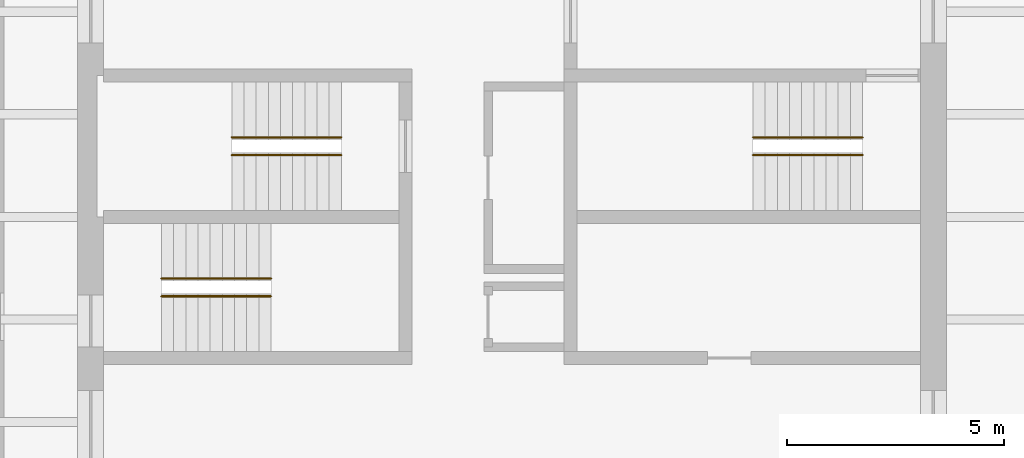
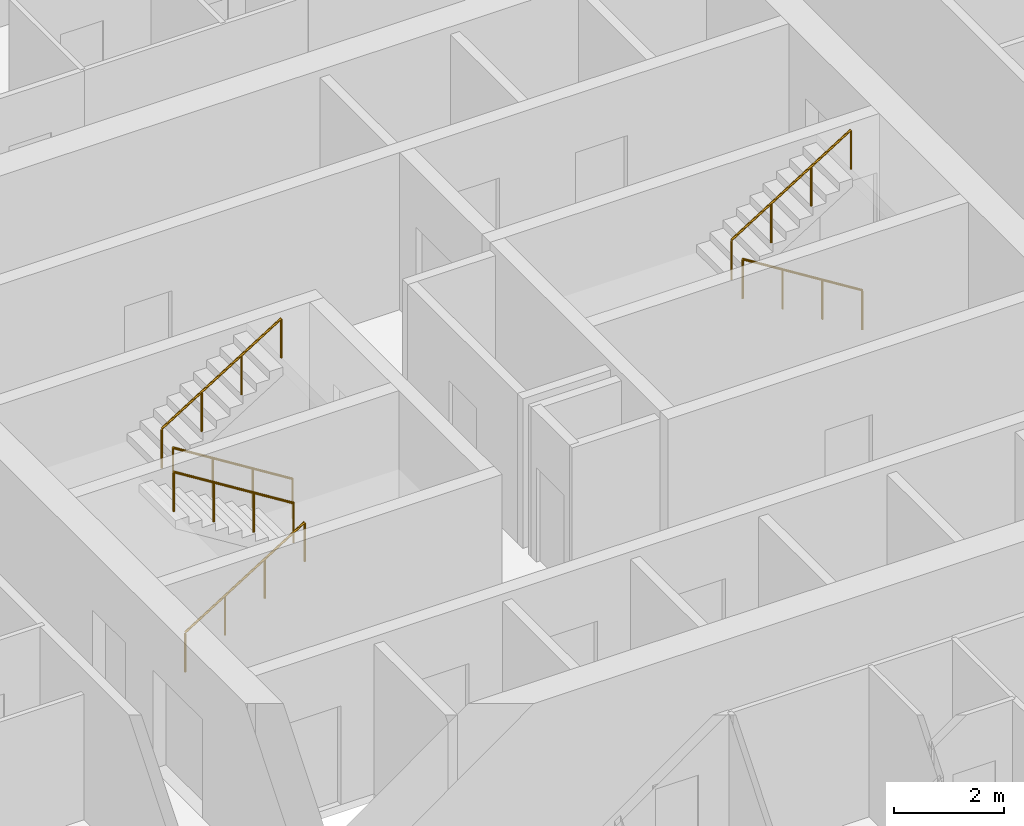
# One storey, part 17 of 17: 6 railings.
"""IFC4 building model written with IfcOpenShell, lengths in metres."""

from ifc_helpers import new_model, si_unit, direction, frame, origin, origin_2d, place, context, subcontext, project, spatial, circle, extrude, material, type_object, element, save


model = new_model("IFC4")

# Units and contexts
model_context = context("Model", 3, precision=1e-05, world=origin(), true_north=direction((0.0, 1.0)))
body_context = subcontext(model_context, "Body", "Model", "MODEL_VIEW")
ifc_project = project(units=[si_unit("LENGTHUNIT", "METRE"), si_unit("AREAUNIT", "SQUARE_METRE"), si_unit("VOLUMEUNIT", "CUBIC_METRE"), si_unit("PLANEANGLEUNIT", "RADIAN"), si_unit("MASSUNIT", "GRAM", prefix="KILO")], contexts=[model_context])

# Site, building, storey
site_placement = place(None, origin())
site = spatial("IfcSite", under=ifc_project, at=site_placement, CompositionType="ELEMENT")
building_placement = place(site_placement, origin())
building = spatial("IfcBuilding", under=site, at=building_placement, Name="Turquesa Mirador Hotel Tower", CompositionType="ELEMENT")
storey_placement = place(building_placement, frame((0.0, 0.0, 251.199951171875)))
storey = spatial("IfcBuildingStorey", under=building, at=storey_placement, Name="L68", CompositionType="ELEMENT", Elevation=251.199951171875)

# Railings
ifc_material = material(Name="Painted steel handrail", Category="steel")
railing_type = type_object("IfcRailingType", Name="HANDRAIL 900 STEEL", PredefinedType="HANDRAIL", material=ifc_material)
railing_1_placement = place(storey_placement, frame((51.070068359375, 46.419921875, 0.175048828125)))
element("IfcRailing", 1, at=railing_1_placement, inside=storey, type_object=railing_type, Name="Handrail ST1", PredefinedType="HANDRAIL", context=body_context, shape_type="SweptSolid", body=[
    extrude(circle(Radius=0.02392578125, at=origin_2d()), frame((0.0, 0.0, 0.8759765625), z_axis=(-0.848007534815, 0.0, 0.529984170421), x_axis=(0.0, -1.0, 0.0)), (0.0, 0.0, 1.0), 2.9716796875),
    extrude(circle(Radius=0.02099609375, at=origin_2d()), origin(), (0.0, 0.0, 1.0), 0.851806640625),
    extrude(circle(Radius=0.02099609375, at=origin_2d()), frame((-0.840087890625, 0.0, 0.52490234375)), (0.0, 0.0, 1.0), 0.851806640625),
    extrude(circle(Radius=0.02099609375, at=origin_2d()), frame((-1.679931640625, 0.0, 1.050048828125)), (0.0, 0.0, 1.0), 0.851806640625),
    extrude(circle(Radius=0.02099609375, at=origin_2d()), frame((-2.52001953125, 0.0, 1.574951171875)), (0.0, 0.0, 1.0), 0.851806640625),
])
for number, where, name in (
    (2, (48.550048828125, 46.830078125, 1.925048828125), "Handrail ST1"),
    (3, (46.929931640625, 43.169921875, 0.175048828125), "Handrail ST2"),
):
    element("IfcRailing", number, at=place(storey_placement, frame(where)), inside=storey, type_object=railing_type, Name=name, PredefinedType="HANDRAIL", context=body_context, shape_type="SweptSolid", body=[
        extrude(circle(Radius=0.02392578125, at=origin_2d()), frame((0.0, 0.0, 0.8759765625), z_axis=(0.848007534815, 0.0, 0.529984170421), x_axis=(0.0, 1.0, 0.0)), (0.0, 0.0, 1.0), 2.9716796875),
        extrude(circle(Radius=0.02099609375, at=origin_2d()), origin(), (0.0, 0.0, 1.0), 0.851806640625),
        extrude(circle(Radius=0.02099609375, at=origin_2d()), frame((0.840087890625, 0.0, 0.52490234375)), (0.0, 0.0, 1.0), 0.851806640625),
        extrude(circle(Radius=0.02099609375, at=origin_2d()), frame((1.679931640625, 0.0, 1.050048828125)), (0.0, 0.0, 1.0), 0.851806640625),
        extrude(circle(Radius=0.02099609375, at=origin_2d()), frame((2.52001953125, 0.0, 1.574951171875)), (0.0, 0.0, 1.0), 0.851806640625),
    ])
for number, where, name in (
    (4, (49.449951171875, 43.580078125, 1.925048828125), "Handrail ST2"),
    (5, (63.070068359375, 46.419921875, 0.175048828125), "Handrail ST3"),
):
    element("IfcRailing", number, at=place(storey_placement, frame(where)), inside=storey, type_object=railing_type, Name=name, PredefinedType="HANDRAIL", context=body_context, shape_type="SweptSolid", body=[
        extrude(circle(Radius=0.02392578125, at=origin_2d()), frame((0.0, 0.0, 0.8759765625), z_axis=(-0.848007534815, 0.0, 0.529984170421), x_axis=(0.0, -1.0, 0.0)), (0.0, 0.0, 1.0), 2.9716796875),
        extrude(circle(Radius=0.02099609375, at=origin_2d()), origin(), (0.0, 0.0, 1.0), 0.851806640625),
        extrude(circle(Radius=0.02099609375, at=origin_2d()), frame((-0.840087890625, 0.0, 0.52490234375)), (0.0, 0.0, 1.0), 0.851806640625),
        extrude(circle(Radius=0.02099609375, at=origin_2d()), frame((-1.679931640625, 0.0, 1.050048828125)), (0.0, 0.0, 1.0), 0.851806640625),
        extrude(circle(Radius=0.02099609375, at=origin_2d()), frame((-2.52001953125, 0.0, 1.574951171875)), (0.0, 0.0, 1.0), 0.851806640625),
    ])
railing_2_placement = place(storey_placement, frame((60.550048828125, 46.830078125, 1.925048828125)))
element("IfcRailing", 6, at=railing_2_placement, inside=storey, type_object=railing_type, Name="Handrail ST3", PredefinedType="HANDRAIL", context=body_context, shape_type="SweptSolid", body=[
    extrude(circle(Radius=0.02392578125, at=origin_2d()), frame((0.0, 0.0, 0.8759765625), z_axis=(0.848007534815, 0.0, 0.529984170421), x_axis=(0.0, 1.0, 0.0)), (0.0, 0.0, 1.0), 2.9716796875),
    extrude(circle(Radius=0.02099609375, at=origin_2d()), origin(), (0.0, 0.0, 1.0), 0.851806640625),
    extrude(circle(Radius=0.02099609375, at=origin_2d()), frame((0.840087890625, 0.0, 0.52490234375)), (0.0, 0.0, 1.0), 0.851806640625),
    extrude(circle(Radius=0.02099609375, at=origin_2d()), frame((1.679931640625, 0.0, 1.050048828125)), (0.0, 0.0, 1.0), 0.851806640625),
    extrude(circle(Radius=0.02099609375, at=origin_2d()), frame((2.52001953125, 0.0, 1.574951171875)), (0.0, 0.0, 1.0), 0.851806640625),
])

save(model, "model.ifc")
